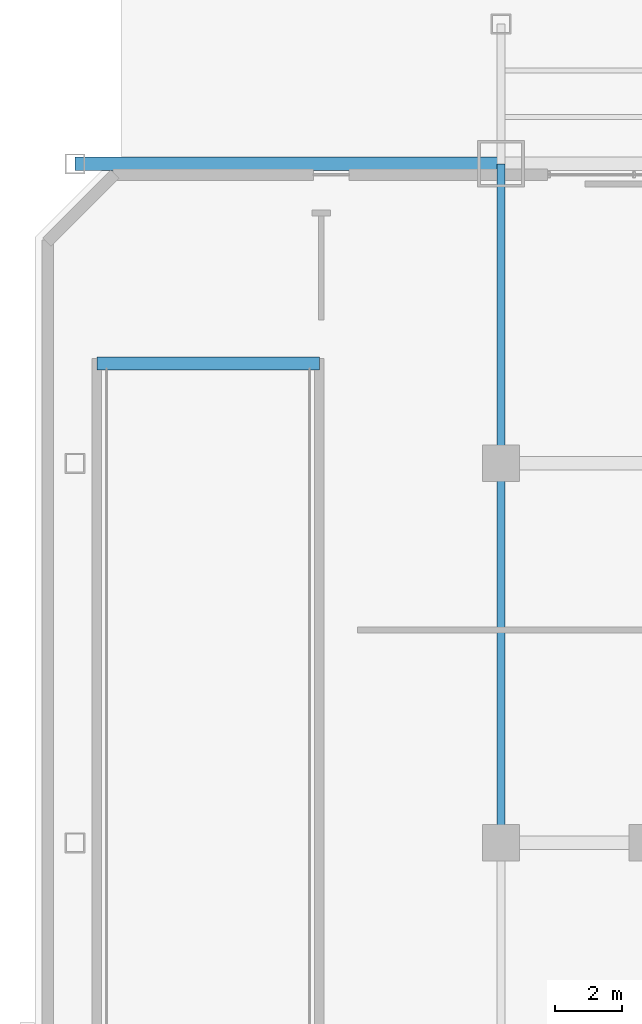
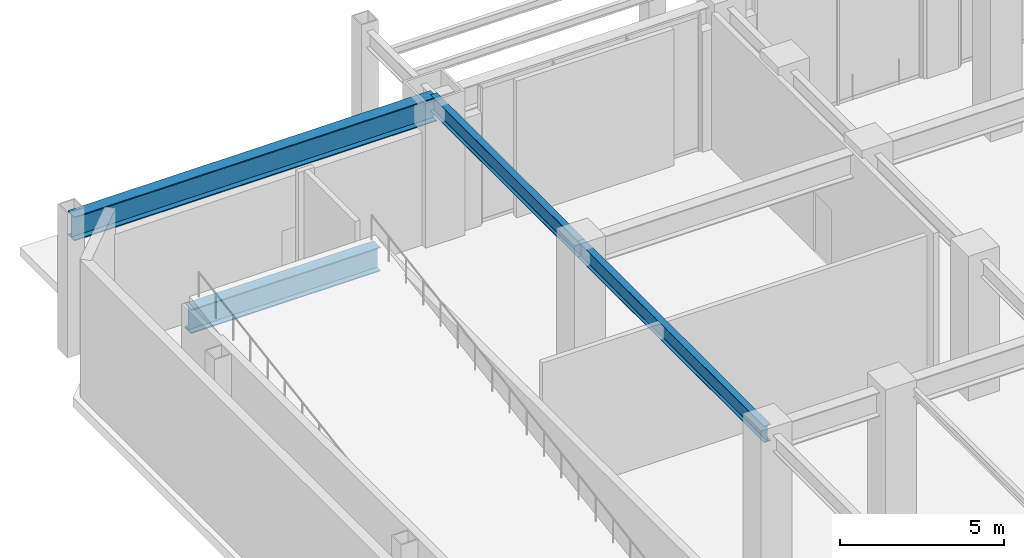
# One storey, part 2 of 23: 4 beams.
"""IFC4 building model written with IfcOpenShell, lengths in metres."""

from ifc_helpers import new_model, si_unit, direction, frame, origin, origin_2d, place, context, subcontext, project, spatial, i_section, extrude, material, material_profile, profile_set, type_object, element, save


model = new_model("IFC4")

# Units and contexts
model_context = context("Model", 3, precision=1e-05, world=origin(), true_north=direction((0.0, 1.0)))
body_context = subcontext(model_context, "Body", "Model", "MODEL_VIEW")
ifc_project = project(units=[si_unit("LENGTHUNIT", "METRE"), si_unit("AREAUNIT", "SQUARE_METRE"), si_unit("VOLUMEUNIT", "CUBIC_METRE"), si_unit("PLANEANGLEUNIT", "RADIAN"), si_unit("MASSUNIT", "GRAM", prefix="KILO")], contexts=[model_context])

# Site, building, storey
site_placement = place(None, origin())
site = spatial("IfcSite", under=ifc_project, at=site_placement, CompositionType="ELEMENT")
building_placement = place(site_placement, origin())
building = spatial("IfcBuilding", under=site, at=building_placement, Name="Ventersveld Concourse Tower", CompositionType="ELEMENT")
storey_placement = place(building_placement, origin())
storey = spatial("IfcBuildingStorey", under=building, at=storey_placement, Name="L00", CompositionType="ELEMENT", Elevation=0.0)

# Beams
ifc_material = material(Name="Structural steel S355J2", Category="steel")
ifc_material_profile_1 = material_profile(ifc_material, i_section(OverallWidth=0.39990234375, OverallDepth=0.89990234375, WebThickness=0.02197265625, FlangeThickness=0.035888671875, at=origin_2d()), Name="PG 900x400x36")
ifc_profile_set_1 = profile_set([ifc_material_profile_1], Name="Structural steel S355J2")
beam_type_1 = type_object("IfcBeamType", Name="GRD-PG900", PredefinedType="USERDEFINED", material=ifc_profile_set_1)
beam_1_placement = place(storey_placement, frame((-9.199951171875, 44.0, 4.64990234375), z_axis=(1.0, 0.0, 0.0), x_axis=(0.0, 1.0, 0.0)))
element("IfcBeam", 1, at=beam_1_placement, inside=storey, type_object=beam_type_1, Name="L00 Podium Primary Girder Y=44.0m", ObjectType="GIRDER", PredefinedType="USERDEFINED", context=body_context, shape_type="SweptSolid", body=[
    extrude(i_section(OverallWidth=0.39990234375, OverallDepth=0.89990234375, WebThickness=0.02197265625, FlangeThickness=0.035888671875, at=origin_2d()), origin(), (0.0, 0.0, 1.0), 12.800048828125),
])
beam_2_placement = place(storey_placement, frame((-8.5400390625, 38.0, 4.60009765625), z_axis=(1.0, 0.0, 0.0), x_axis=(0.0, 1.0, 0.0)))
element("IfcBeam", 2, at=beam_2_placement, inside=storey, type_object=beam_type_1, Name="L00-L01 Vehicle Ramp Head Landing Girder", ObjectType="GIRDER", PredefinedType="USERDEFINED", context=body_context, shape_type="SweptSolid", body=[
    extrude(i_section(OverallWidth=0.39990234375, OverallDepth=0.89990234375, WebThickness=0.02197265625, FlangeThickness=0.035888671875, at=origin_2d()), origin(), (0.0, 0.0, 1.0), 6.679931640625),
])
ifc_material_profile_2 = material_profile(ifc_material, i_section(OverallWidth=0.230224609375, OverallDepth=0.6171875, WebThickness=0.01318359375, FlangeThickness=0.022216796875, FilletRadius=0.0126953125, at=origin_2d()), Name="UB 610x229x140")
ifc_profile_set_2 = profile_set([ifc_material_profile_2], Name="Structural steel S355J2")
beam_type_2 = type_object("IfcBeamType", Name="GRD-UB610", PredefinedType="USERDEFINED", material=ifc_profile_set_2)
beam_3_placement = place(storey_placement, frame((3.60009765625, 23.60009765625, 4.79150390625), z_axis=(0.0, 1.0, 0.0), x_axis=(-1.0, 0.0, 0.0)))
element("IfcBeam", 3, at=beam_3_placement, inside=storey, type_object=beam_type_2, Name="L00 Podium N-S Girder X=3.60m", ObjectType="GIRDER", PredefinedType="USERDEFINED", context=body_context, shape_type="SweptSolid", body=[
    extrude(i_section(OverallWidth=0.230224609375, OverallDepth=0.6171875, WebThickness=0.01318359375, FlangeThickness=0.022216796875, FilletRadius=0.0126953125, at=origin_2d()), origin(), (0.0, 0.0, 1.0), 11.39990234375),
])
beam_4_placement = place(storey_placement, frame((3.60009765625, 35.0, 4.79150390625), z_axis=(0.0, 1.0, 0.0), x_axis=(-1.0, 0.0, 0.0)))
element("IfcBeam", 4, at=beam_4_placement, inside=storey, type_object=beam_type_2, Name="L00 Podium N-S Girder X=3.60m", ObjectType="GIRDER", PredefinedType="USERDEFINED", context=body_context, shape_type="SweptSolid", body=[
    extrude(i_section(OverallWidth=0.230224609375, OverallDepth=0.6171875, WebThickness=0.01318359375, FlangeThickness=0.022216796875, FilletRadius=0.0126953125, at=origin_2d()), origin(), (0.0, 0.0, 1.0), 9.0),
])

save(model, "model.ifc")
